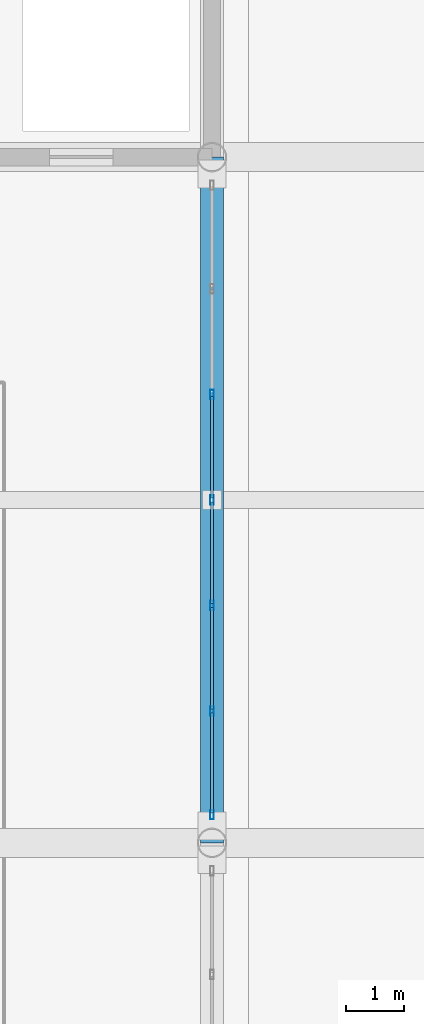
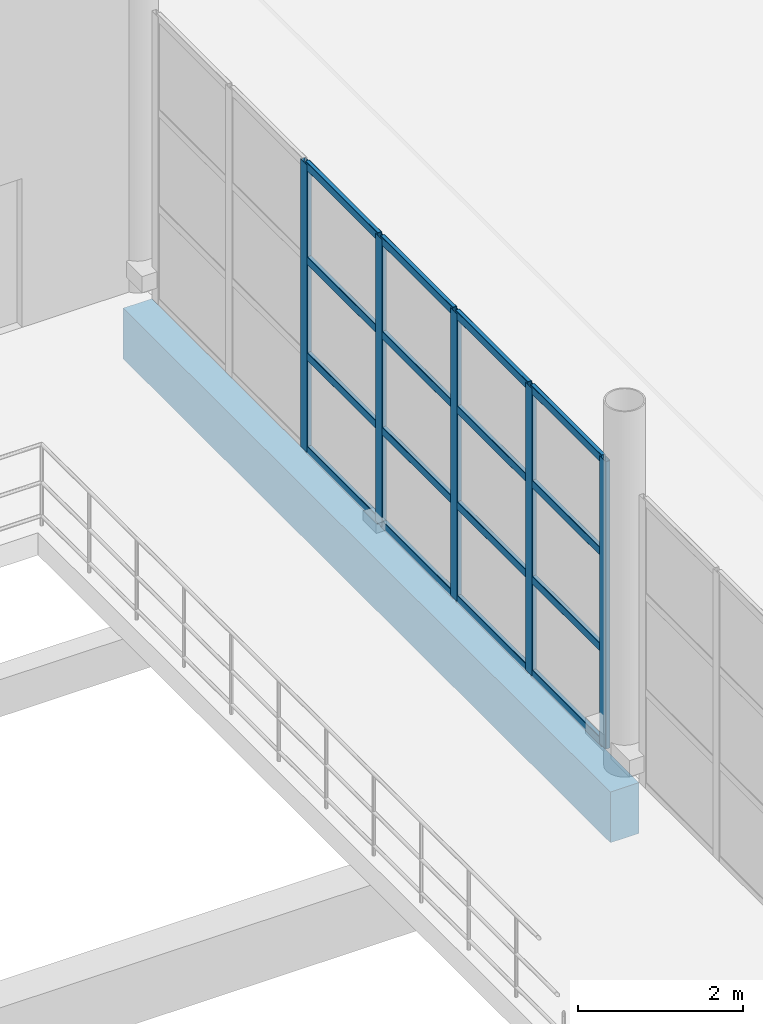
# One storey, part 72 of 175: 21 members, 1 beam, 1 element without a shape of its own.
"""IFC4 building model written with IfcOpenShell, lengths in metres."""

from ifc_helpers import new_model, si_unit, direction, frame, origin, origin_2d, place, context, subcontext, project, spatial, rectangle, hollow_rectangle, extrude, material, material_profile, profile_set, type_object, element, aggregate, save


model = new_model("IFC4")

# Units and contexts
model_context = context("Model", 3, precision=1e-05, world=origin(), true_north=direction((0.0, 1.0)))
body_context = subcontext(model_context, "Body", "Model", "MODEL_VIEW")
ifc_project = project(units=[si_unit("LENGTHUNIT", "METRE"), si_unit("AREAUNIT", "SQUARE_METRE"), si_unit("VOLUMEUNIT", "CUBIC_METRE"), si_unit("PLANEANGLEUNIT", "RADIAN"), si_unit("MASSUNIT", "GRAM", prefix="KILO")], contexts=[model_context])

# Site, building, storey
site_placement = place(None, origin())
site = spatial("IfcSite", under=ifc_project, at=site_placement, CompositionType="ELEMENT")
building_placement = place(site_placement, origin())
building = spatial("IfcBuilding", under=site, at=building_placement, Name="Brelvane Convention Centre", CompositionType="ELEMENT")
storey_placement = place(building_placement, frame((0.0, 0.0, 5.39990234375)))
storey = spatial("IfcBuildingStorey", under=building, at=storey_placement, Name="L01", CompositionType="ELEMENT", Elevation=5.39990234375)

# Curtain wall, members
ifc_material_1 = material(Name="Anodised Aluminium Alloy 6063-T6", Category="aluminium")
curtain_wall_type = type_object("IfcCurtainWallType", Name="Curtain Wall CW-CONC", PredefinedType="USERDEFINED", material=ifc_material_1)
curtain_wall_placement = place(storey_placement, origin())
curtain_wall = element("IfcCurtainWall", 1, at=curtain_wall_placement, inside=storey, type_object=curtain_wall_type, Name="Curtain Wall CW-CONC L01-GAL-ATRIUM-E-3", ObjectType="UNITISED", PredefinedType="USERDEFINED")
ifc_material_2 = material(Name="Anodised Aluminium Alloy 6063-T6", Category="aluminium")
ifc_material_profile_1 = material_profile(ifc_material_2, hollow_rectangle(XDim=0.06494140625, YDim=0.159912109375, WallThickness=0.00390625, InnerFilletRadius=0.00390625, OuterFilletRadius=0.008056640625, at=origin_2d()), Name="ALU-M 160x65x4.0")
ifc_profile_set_1 = profile_set([ifc_material_profile_1], Name="Anodised Aluminium Alloy 6063-T6")
member_type_1 = type_object("IfcMemberType", Name="Curtain Mullion CW-M3", PredefinedType="MULLION", material=ifc_profile_set_1)
member_1_placement = place(storey_placement, frame((163.199951171875, 64.6826171875, 0.0), z_axis=(0.0, 0.0, 1.0), x_axis=(-1.0, 0.0, 0.0)))
member_1 = element("IfcMember", 2, at=member_1_placement, type_object=member_type_1, Name="CW-CONC mullion 1", PredefinedType="MULLION", context=body_context, shape_type="SweptSolid", body=[
    extrude(hollow_rectangle(XDim=0.06494140625, YDim=0.159912109375, WallThickness=0.00390625, InnerFilletRadius=0.00390625, OuterFilletRadius=0.008056640625, at=origin_2d()), origin(), (0.0, 0.0, 1.0), 4.25),
])
member_2_placement = place(storey_placement, frame((163.199951171875, 66.466552734375, 0.0), z_axis=(0.0, 0.0, 1.0), x_axis=(-1.0, 0.0, 0.0)))
member_2 = element("IfcMember", 3, at=member_2_placement, type_object=member_type_1, Name="CW-CONC mullion 2", PredefinedType="MULLION", context=body_context, shape_type="SweptSolid", body=[
    extrude(hollow_rectangle(XDim=0.06494140625, YDim=0.159912109375, WallThickness=0.00390625, InnerFilletRadius=0.00390625, OuterFilletRadius=0.008056640625, at=origin_2d()), origin(), (0.0, 0.0, 1.0), 4.25),
])
member_3_placement = place(storey_placement, frame((163.199951171875, 68.283447265625, 0.0), z_axis=(0.0, 0.0, 1.0), x_axis=(-1.0, 0.0, 0.0)))
member_3 = element("IfcMember", 4, at=member_3_placement, type_object=member_type_1, Name="CW-CONC mullion 3", PredefinedType="MULLION", context=body_context, shape_type="SweptSolid", body=[
    extrude(hollow_rectangle(XDim=0.06494140625, YDim=0.159912109375, WallThickness=0.00390625, InnerFilletRadius=0.00390625, OuterFilletRadius=0.008056640625, at=origin_2d()), origin(), (0.0, 0.0, 1.0), 4.25),
])
member_4_placement = place(storey_placement, frame((163.199951171875, 70.10009765625, 0.0), z_axis=(0.0, 0.0, 1.0), x_axis=(-1.0, 0.0, 0.0)))
member_4 = element("IfcMember", 5, at=member_4_placement, type_object=member_type_1, Name="CW-CONC mullion 4", PredefinedType="MULLION", context=body_context, shape_type="SweptSolid", body=[
    extrude(hollow_rectangle(XDim=0.06494140625, YDim=0.159912109375, WallThickness=0.00390625, InnerFilletRadius=0.00390625, OuterFilletRadius=0.008056640625, at=origin_2d()), origin(), (0.0, 0.0, 1.0), 4.25),
])
member_5_placement = place(storey_placement, frame((163.199951171875, 71.916748046875, 0.0), z_axis=(0.0, 0.0, 1.0), x_axis=(-1.0, 0.0, 0.0)))
member_5 = element("IfcMember", 6, at=member_5_placement, type_object=member_type_1, Name="CW-CONC mullion 5", PredefinedType="MULLION", context=body_context, shape_type="SweptSolid", body=[
    extrude(hollow_rectangle(XDim=0.06494140625, YDim=0.159912109375, WallThickness=0.00390625, InnerFilletRadius=0.00390625, OuterFilletRadius=0.008056640625, at=origin_2d()), origin(), (0.0, 0.0, 1.0), 4.25),
])
ifc_material_3 = material(Name="Anodised Aluminium Alloy 6063-T6", Category="aluminium")
ifc_material_profile_2 = material_profile(ifc_material_3, hollow_rectangle(XDim=0.06005859375, YDim=0.1201171875, WallThickness=0.00390625, InnerFilletRadius=0.00390625, OuterFilletRadius=0.008056640625, at=origin_2d()), Name="ALU-T 120x60x4.0")
ifc_profile_set_2 = profile_set([ifc_material_profile_2], Name="Anodised Aluminium Alloy 6063-T6")
member_type_2 = type_object("IfcMemberType", Name="Curtain Transom CW-T3", PredefinedType="USERDEFINED", material=ifc_profile_set_2)
member_6_placement = place(storey_placement, frame((163.199951171875, 64.715087890625, 0.030029296875), z_axis=(0.0, 1.0, 0.0), x_axis=(-1.0, 0.0, 0.0)))
member_6 = element("IfcMember", 7, at=member_6_placement, type_object=member_type_2, Name="CW-CONC transom 1.1", ObjectType="TRANSOM", PredefinedType="USERDEFINED", context=body_context, shape_type="SweptSolid", body=[
    extrude(hollow_rectangle(XDim=0.06005859375, YDim=0.1201171875, WallThickness=0.00390625, InnerFilletRadius=0.00390625, OuterFilletRadius=0.008056640625, at=origin_2d()), origin(), (0.0, 0.0, 1.0), 1.718994140625),
])
member_7_placement = place(storey_placement, frame((163.199951171875, 64.715087890625, 1.416748046875), z_axis=(0.0, 1.0, 0.0), x_axis=(-1.0, 0.0, 0.0)))
member_7 = element("IfcMember", 8, at=member_7_placement, type_object=member_type_2, Name="CW-CONC transom 1.2", ObjectType="TRANSOM", PredefinedType="USERDEFINED", context=body_context, shape_type="SweptSolid", body=[
    extrude(hollow_rectangle(XDim=0.06005859375, YDim=0.1201171875, WallThickness=0.00390625, InnerFilletRadius=0.00390625, OuterFilletRadius=0.008056640625, at=origin_2d()), origin(), (0.0, 0.0, 1.0), 1.718994140625),
])
member_8_placement = place(storey_placement, frame((163.199951171875, 64.715087890625, 2.83349609375), z_axis=(0.0, 1.0, 0.0), x_axis=(-1.0, 0.0, 0.0)))
member_8 = element("IfcMember", 9, at=member_8_placement, type_object=member_type_2, Name="CW-CONC transom 1.3", ObjectType="TRANSOM", PredefinedType="USERDEFINED", context=body_context, shape_type="SweptSolid", body=[
    extrude(hollow_rectangle(XDim=0.06005859375, YDim=0.1201171875, WallThickness=0.00390625, InnerFilletRadius=0.00390625, OuterFilletRadius=0.008056640625, at=origin_2d()), origin(), (0.0, 0.0, 1.0), 1.718994140625),
])
member_9_placement = place(storey_placement, frame((163.199951171875, 64.715087890625, 4.22021484375), z_axis=(0.0, 1.0, 0.0), x_axis=(-1.0, 0.0, 0.0)))
member_9 = element("IfcMember", 10, at=member_9_placement, type_object=member_type_2, Name="CW-CONC transom 1.4", ObjectType="TRANSOM", PredefinedType="USERDEFINED", context=body_context, shape_type="SweptSolid", body=[
    extrude(hollow_rectangle(XDim=0.06005859375, YDim=0.1201171875, WallThickness=0.00390625, InnerFilletRadius=0.00390625, OuterFilletRadius=0.008056640625, at=origin_2d()), origin(), (0.0, 0.0, 1.0), 1.718994140625),
])
member_10_placement = place(storey_placement, frame((163.199951171875, 66.499267578125, 0.030029296875), z_axis=(0.0, 1.0, 0.0), x_axis=(-1.0, 0.0, 0.0)))
member_10 = element("IfcMember", 11, at=member_10_placement, type_object=member_type_2, Name="CW-CONC transom 2.1", ObjectType="TRANSOM", PredefinedType="USERDEFINED", context=body_context, shape_type="SweptSolid", body=[
    extrude(hollow_rectangle(XDim=0.06005859375, YDim=0.1201171875, WallThickness=0.00390625, InnerFilletRadius=0.00390625, OuterFilletRadius=0.008056640625, at=origin_2d()), origin(), (0.0, 0.0, 1.0), 1.75146484375),
])
member_11_placement = place(storey_placement, frame((163.199951171875, 66.499267578125, 1.416748046875), z_axis=(0.0, 1.0, 0.0), x_axis=(-1.0, 0.0, 0.0)))
member_11 = element("IfcMember", 12, at=member_11_placement, type_object=member_type_2, Name="CW-CONC transom 2.2", ObjectType="TRANSOM", PredefinedType="USERDEFINED", context=body_context, shape_type="SweptSolid", body=[
    extrude(hollow_rectangle(XDim=0.06005859375, YDim=0.1201171875, WallThickness=0.00390625, InnerFilletRadius=0.00390625, OuterFilletRadius=0.008056640625, at=origin_2d()), origin(), (0.0, 0.0, 1.0), 1.75146484375),
])
member_12_placement = place(storey_placement, frame((163.199951171875, 66.499267578125, 2.83349609375), z_axis=(0.0, 1.0, 0.0), x_axis=(-1.0, 0.0, 0.0)))
member_12 = element("IfcMember", 13, at=member_12_placement, type_object=member_type_2, Name="CW-CONC transom 2.3", ObjectType="TRANSOM", PredefinedType="USERDEFINED", context=body_context, shape_type="SweptSolid", body=[
    extrude(hollow_rectangle(XDim=0.06005859375, YDim=0.1201171875, WallThickness=0.00390625, InnerFilletRadius=0.00390625, OuterFilletRadius=0.008056640625, at=origin_2d()), origin(), (0.0, 0.0, 1.0), 1.75146484375),
])
member_13_placement = place(storey_placement, frame((163.199951171875, 66.499267578125, 4.22021484375), z_axis=(0.0, 1.0, 0.0), x_axis=(-1.0, 0.0, 0.0)))
member_13 = element("IfcMember", 14, at=member_13_placement, type_object=member_type_2, Name="CW-CONC transom 2.4", ObjectType="TRANSOM", PredefinedType="USERDEFINED", context=body_context, shape_type="SweptSolid", body=[
    extrude(hollow_rectangle(XDim=0.06005859375, YDim=0.1201171875, WallThickness=0.00390625, InnerFilletRadius=0.00390625, OuterFilletRadius=0.008056640625, at=origin_2d()), origin(), (0.0, 0.0, 1.0), 1.75146484375),
])
member_14_placement = place(storey_placement, frame((163.199951171875, 68.31591796875, 0.030029296875), z_axis=(0.0, 1.0, 0.0), x_axis=(-1.0, 0.0, 0.0)))
member_14 = element("IfcMember", 15, at=member_14_placement, type_object=member_type_2, Name="CW-CONC transom 3.1", ObjectType="TRANSOM", PredefinedType="USERDEFINED", context=body_context, shape_type="SweptSolid", body=[
    extrude(hollow_rectangle(XDim=0.06005859375, YDim=0.1201171875, WallThickness=0.00390625, InnerFilletRadius=0.00390625, OuterFilletRadius=0.008056640625, at=origin_2d()), origin(), (0.0, 0.0, 1.0), 1.75146484375),
])
member_15_placement = place(storey_placement, frame((163.199951171875, 68.31591796875, 1.416748046875), z_axis=(0.0, 1.0, 0.0), x_axis=(-1.0, 0.0, 0.0)))
member_15 = element("IfcMember", 16, at=member_15_placement, type_object=member_type_2, Name="CW-CONC transom 3.2", ObjectType="TRANSOM", PredefinedType="USERDEFINED", context=body_context, shape_type="SweptSolid", body=[
    extrude(hollow_rectangle(XDim=0.06005859375, YDim=0.1201171875, WallThickness=0.00390625, InnerFilletRadius=0.00390625, OuterFilletRadius=0.008056640625, at=origin_2d()), origin(), (0.0, 0.0, 1.0), 1.75146484375),
])
member_16_placement = place(storey_placement, frame((163.199951171875, 68.31591796875, 2.83349609375), z_axis=(0.0, 1.0, 0.0), x_axis=(-1.0, 0.0, 0.0)))
member_16 = element("IfcMember", 17, at=member_16_placement, type_object=member_type_2, Name="CW-CONC transom 3.3", ObjectType="TRANSOM", PredefinedType="USERDEFINED", context=body_context, shape_type="SweptSolid", body=[
    extrude(hollow_rectangle(XDim=0.06005859375, YDim=0.1201171875, WallThickness=0.00390625, InnerFilletRadius=0.00390625, OuterFilletRadius=0.008056640625, at=origin_2d()), origin(), (0.0, 0.0, 1.0), 1.75146484375),
])
member_17_placement = place(storey_placement, frame((163.199951171875, 68.31591796875, 4.22021484375), z_axis=(0.0, 1.0, 0.0), x_axis=(-1.0, 0.0, 0.0)))
member_17 = element("IfcMember", 18, at=member_17_placement, type_object=member_type_2, Name="CW-CONC transom 3.4", ObjectType="TRANSOM", PredefinedType="USERDEFINED", context=body_context, shape_type="SweptSolid", body=[
    extrude(hollow_rectangle(XDim=0.06005859375, YDim=0.1201171875, WallThickness=0.00390625, InnerFilletRadius=0.00390625, OuterFilletRadius=0.008056640625, at=origin_2d()), origin(), (0.0, 0.0, 1.0), 1.75146484375),
])
member_18_placement = place(storey_placement, frame((163.199951171875, 70.132568359375, 0.030029296875), z_axis=(0.0, 1.0, 0.0), x_axis=(-1.0, 0.0, 0.0)))
member_18 = element("IfcMember", 19, at=member_18_placement, type_object=member_type_2, Name="CW-CONC transom 4.1", ObjectType="TRANSOM", PredefinedType="USERDEFINED", context=body_context, shape_type="SweptSolid", body=[
    extrude(hollow_rectangle(XDim=0.06005859375, YDim=0.1201171875, WallThickness=0.00390625, InnerFilletRadius=0.00390625, OuterFilletRadius=0.008056640625, at=origin_2d()), origin(), (0.0, 0.0, 1.0), 1.751708984375),
])
member_19_placement = place(storey_placement, frame((163.199951171875, 70.132568359375, 1.416748046875), z_axis=(0.0, 1.0, 0.0), x_axis=(-1.0, 0.0, 0.0)))
member_19 = element("IfcMember", 20, at=member_19_placement, type_object=member_type_2, Name="CW-CONC transom 4.2", ObjectType="TRANSOM", PredefinedType="USERDEFINED", context=body_context, shape_type="SweptSolid", body=[
    extrude(hollow_rectangle(XDim=0.06005859375, YDim=0.1201171875, WallThickness=0.00390625, InnerFilletRadius=0.00390625, OuterFilletRadius=0.008056640625, at=origin_2d()), origin(), (0.0, 0.0, 1.0), 1.751708984375),
])
member_20_placement = place(storey_placement, frame((163.199951171875, 70.132568359375, 2.83349609375), z_axis=(0.0, 1.0, 0.0), x_axis=(-1.0, 0.0, 0.0)))
member_20 = element("IfcMember", 21, at=member_20_placement, type_object=member_type_2, Name="CW-CONC transom 4.3", ObjectType="TRANSOM", PredefinedType="USERDEFINED", context=body_context, shape_type="SweptSolid", body=[
    extrude(hollow_rectangle(XDim=0.06005859375, YDim=0.1201171875, WallThickness=0.00390625, InnerFilletRadius=0.00390625, OuterFilletRadius=0.008056640625, at=origin_2d()), origin(), (0.0, 0.0, 1.0), 1.751708984375),
])
member_21_placement = place(storey_placement, frame((163.199951171875, 70.132568359375, 4.22021484375), z_axis=(0.0, 1.0, 0.0), x_axis=(-1.0, 0.0, 0.0)))
member_21 = element("IfcMember", 22, at=member_21_placement, type_object=member_type_2, Name="CW-CONC transom 4.4", ObjectType="TRANSOM", PredefinedType="USERDEFINED", context=body_context, shape_type="SweptSolid", body=[
    extrude(hollow_rectangle(XDim=0.06005859375, YDim=0.1201171875, WallThickness=0.00390625, InnerFilletRadius=0.00390625, OuterFilletRadius=0.008056640625, at=origin_2d()), origin(), (0.0, 0.0, 1.0), 1.751708984375),
])
aggregate(curtain_wall, [member_1, member_2, member_3, member_4, member_5, member_6, member_7, member_8, member_9, member_10, member_11, member_12, member_13, member_14, member_15, member_16, member_17, member_18, member_19, member_20, member_21])

# Beam
ifc_material_4 = material(Name="Concrete M40", Category="concrete")
ifc_material_profile_3 = material_profile(ifc_material_4, rectangle(XDim=0.39990234375, YDim=0.75, at=origin_2d()), Name="RC 400x750")
ifc_profile_set_3 = profile_set([ifc_material_profile_3], Name="Concrete M40")
beam_type = type_object("IfcBeamType", Name="RC Spandrel SP-RC1 (RC 400x750)", PredefinedType="SPANDREL", material=ifc_profile_set_3)
beam_placement = place(storey_placement, frame((163.199951171875, 64.199951171875, -0.704833984375), z_axis=(0.0, 1.0, 0.0), x_axis=(-1.0, 0.0, 0.0)))
element("IfcBeam", 23, at=beam_placement, inside=storey, type_object=beam_type, Name="L01 Girder 17/G-H", PredefinedType="SPANDREL", context=body_context, shape_type="SweptSolid", body=[
    extrude(rectangle(XDim=0.39990234375, YDim=0.75, at=origin_2d()), origin(), (0.0, 0.0, 1.0), 11.800048828125),
])

save(model, "model.ifc")
